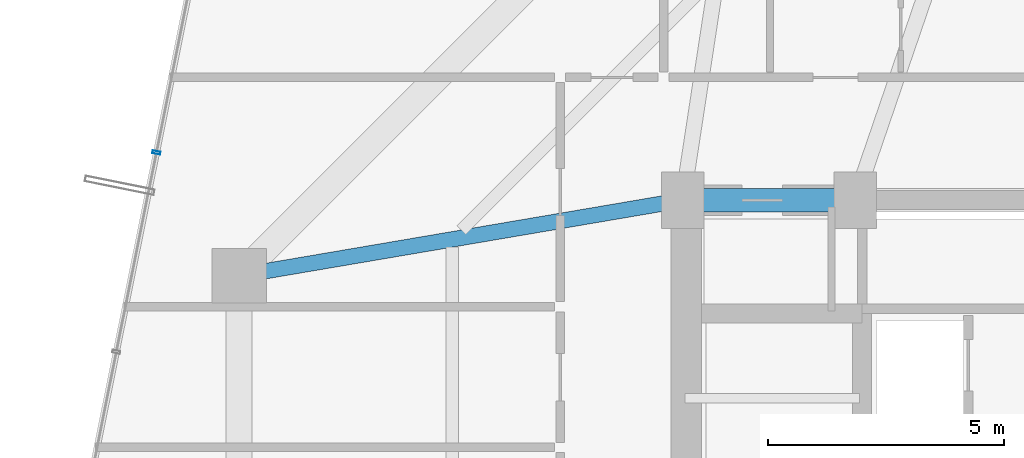
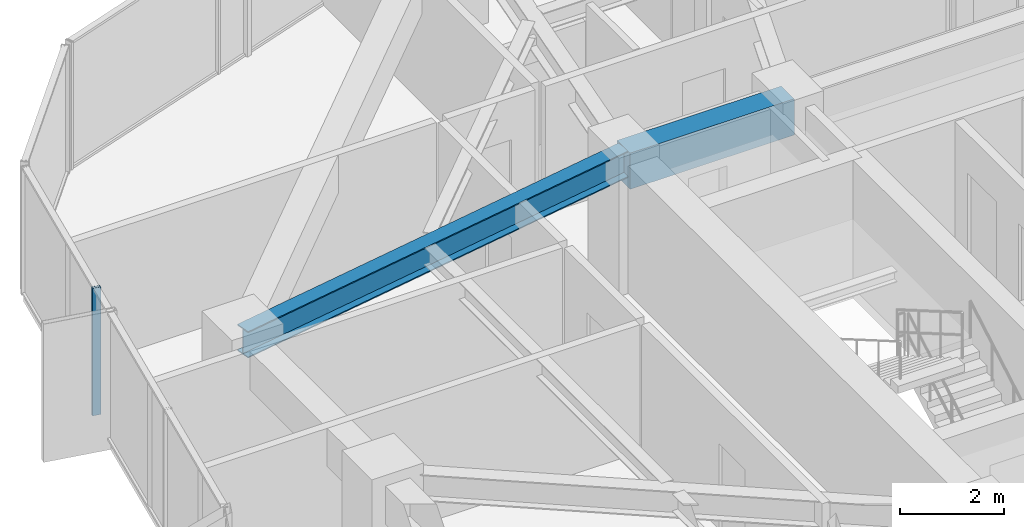
# One storey, part 15 of 32: 2 beams, 1 member, 1 element without a shape of its own.
"""IFC4 building model written with IfcOpenShell, lengths in metres."""

from ifc_helpers import new_model, si_unit, direction, frame, origin, origin_2d, place, context, subcontext, project, spatial, rectangle, hollow_rectangle, i_section, extrude, source, transform, mapped, material, layer, layer_set, material_profile, profile_set, type_object, element, aggregate, save


model = new_model("IFC4")

# Units and contexts
model_context = context("Model", 3, precision=1e-05, world=origin(), true_north=direction((0.0, 1.0)))
body_context = subcontext(model_context, "Body", "Model", "MODEL_VIEW")
ifc_project = project(units=[si_unit("LENGTHUNIT", "METRE"), si_unit("AREAUNIT", "SQUARE_METRE"), si_unit("VOLUMEUNIT", "CUBIC_METRE"), si_unit("PLANEANGLEUNIT", "RADIAN"), si_unit("MASSUNIT", "GRAM", prefix="KILO")], contexts=[model_context])

# Site, building, storey
site_placement = place(None, origin())
site = spatial("IfcSite", under=ifc_project, at=site_placement, CompositionType="ELEMENT")
building_placement = place(site_placement, origin())
building = spatial("IfcBuilding", under=site, at=building_placement, Name="Veraguas Prism Commons", CompositionType="ELEMENT")
storey_placement = place(building_placement, frame((0.0, 0.0, 89.449951171875)))
storey = spatial("IfcBuildingStorey", under=building, at=storey_placement, Name="L24", CompositionType="ELEMENT", Elevation=89.449951171875)

# Beams
ifc_material_1 = material(Name="Concrete C50/60", Category="concrete")
ifc_material_profile_1 = material_profile(ifc_material_1, rectangle(XDim=0.5, YDim=0.85009765625, at=origin_2d()), Name="RC500X850")
ifc_profile_set_1 = profile_set([ifc_material_profile_1], Name="Concrete C50/60")
beam_type_1 = type_object("IfcBeamType", Name="Core Coupling Beam RC 500x850", PredefinedType="BEAM", material=ifc_profile_set_1)
beam_1_placement = place(storey_placement, frame((17.199951171875, 31.0, 2.574951171875), z_axis=(1.0, 0.0, 0.0), x_axis=(0.0, 1.0, 0.0)))
element("IfcBeam", 1, at=beam_1_placement, inside=storey, type_object=beam_type_1, Name="Core Coupling Beam L24-CRN1", PredefinedType="BEAM", context=body_context, shape_type="SweptSolid", body=[
    extrude(rectangle(XDim=0.5, YDim=0.85009765625, at=origin_2d()), origin(), (0.0, 0.0, 1.0), 3.650146484375),
])
ifc_material_2 = material(Name="Steel ASTM A992 Grade 50", Category="steel")
ifc_material_profile_2 = material_profile(ifc_material_2, i_section(OverallWidth=0.327880859375, OverallDepth=0.6220703125, WebThickness=0.015380859375, FlangeThickness=0.0244140625, at=origin_2d()), Name="W610X195")
ifc_profile_set_2 = profile_set([ifc_material_profile_2], Name="Steel ASTM A992 Grade 50")
beam_type_2 = type_object("IfcBeamType", Name="Zone 2 Radial Girder W610x195", PredefinedType="BEAM", material=ifc_profile_set_2)
beam_2_placement = place(storey_placement, frame((7.800048828125, 29.39990234375, 2.68896484375), z_axis=(0.985819187151, 0.1678109956, 0.0), x_axis=(-0.1678109956, 0.985819187151, 0.0)))
element("IfcBeam", 2, at=beam_2_placement, inside=storey, type_object=beam_type_2, Name="Radial Floor Girder L24-RD07", PredefinedType="BEAM", context=body_context, shape_type="SweptSolid", body=[
    extrude(i_section(OverallWidth=0.327880859375, OverallDepth=0.6220703125, WebThickness=0.015380859375, FlangeThickness=0.0244140625, at=origin_2d()), origin(), (0.0, 0.0, 1.0), 9.53515625),
])

# Curtain wall, member
ifc_material_3 = material(Name="Anodised aluminium EN AW-6063 T6", Category="aluminium")
ifc_layer = layer(ifc_material_3, 0.169921875, Name="Unitised Flush Curtain Wall Zone 2", Category="aluminium")
ifc_layer_set = layer_set([ifc_layer], Name="Anodised aluminium EN AW-6063 T6")
curtain_wall_type = type_object("IfcCurtainWallType", Name="Unitised Flush Curtain Wall Zone 2", PredefinedType="NOTDEFINED", material=ifc_layer_set)
curtain_wall_placement = place(storey_placement, origin())
curtain_wall = element("IfcCurtainWall", 3, at=curtain_wall_placement, inside=storey, type_object=curtain_wall_type, Name="Tower Facade Curtain Wall L24-F3", PredefinedType="NOTDEFINED")
ifc_material_profile_3 = material_profile(ifc_material_3, hollow_rectangle(XDim=0.06005859375, YDim=0.169921875, WallThickness=0.00390625, at=origin_2d()), Name="AL60X170X4")
ifc_profile_set_3 = profile_set([ifc_material_profile_3], Name="Anodised aluminium EN AW-6063 T6")
member_type = type_object("IfcMemberType", Name="Curtain Wall Mullion Lower AL 60x170x4", PredefinedType="MULLION", material=ifc_profile_set_3)
shared_shape = source(origin(), body_context, "Body", "SweptSolid", [
    extrude(hollow_rectangle(XDim=0.06005859375, YDim=0.169921875, WallThickness=0.00390625, at=origin_2d()), origin(), (0.0, 0.0, 1.0), 3.0),
])
member_placement = place(storey_placement, frame((6.044921875, 32.0087890625, 0.0), z_axis=(0.0, 0.0, 1.0), x_axis=(-0.197320282199, -0.980339077173, 0.0)))
member = element("IfcMember", 4, at=member_placement, type_object=member_type, Name="CW-Z2 Mullion 2", PredefinedType="MULLION", context=body_context, shape_type="MappedRepresentation", body=[
    mapped(shared_shape, transform((0.0, 0.0, 0.0), scale=1.0)),
])
aggregate(curtain_wall, [member])

save(model, "model.ifc")
